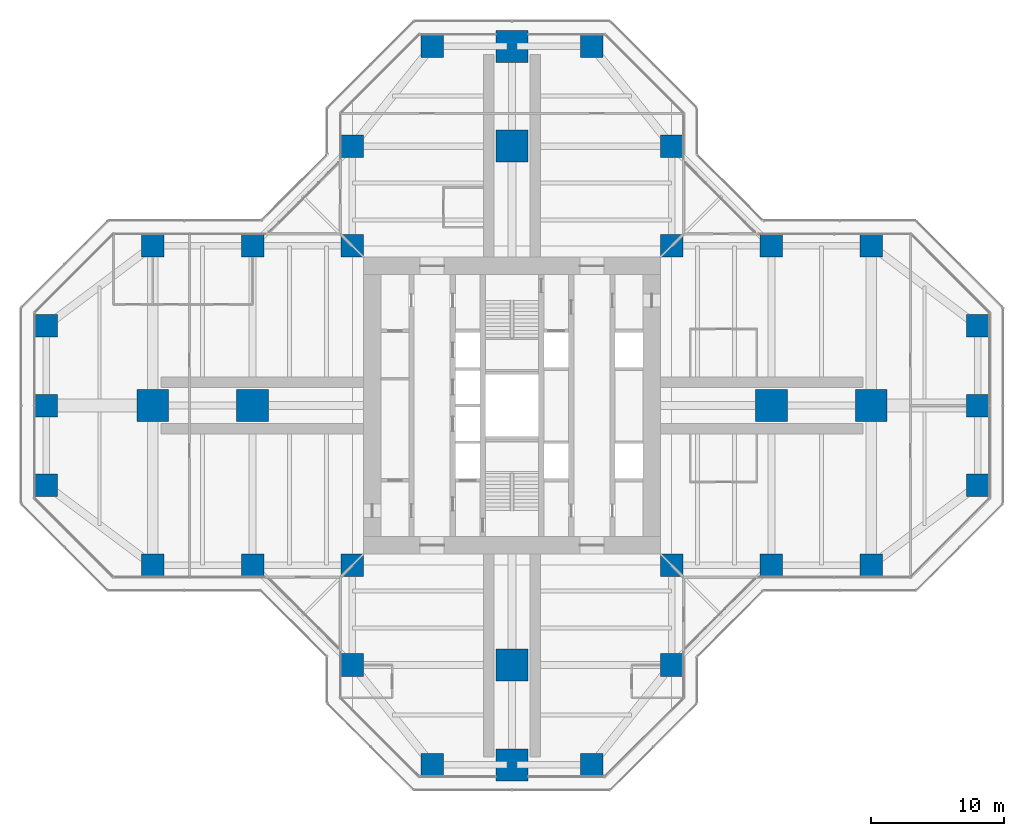
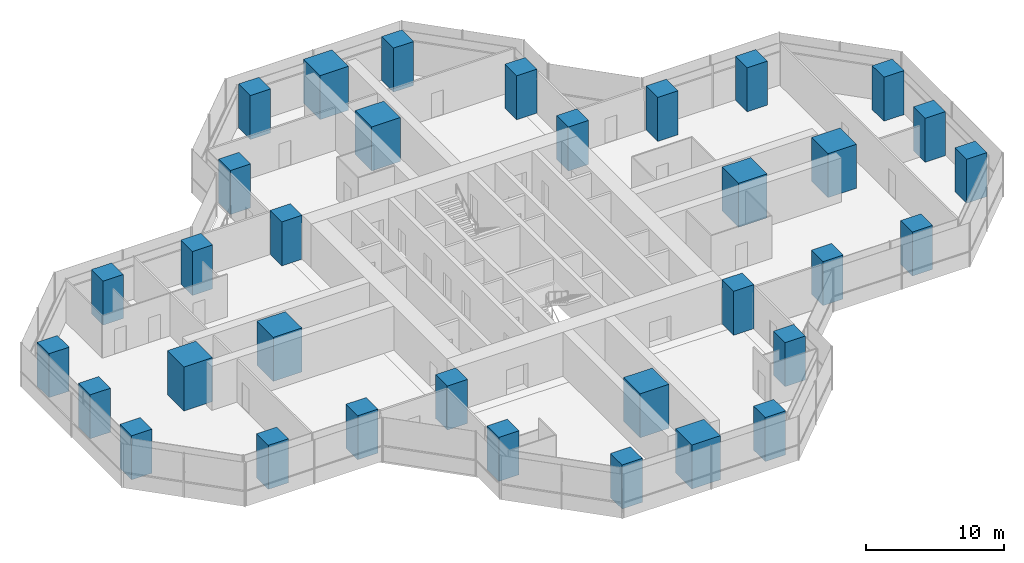
# One storey, part 1 of 19: 34 columns.
"""IFC4 building model written with IfcOpenShell, lengths in metres."""

from ifc_helpers import new_model, si_unit, direction, frame, origin, origin_2d, place, context, subcontext, project, spatial, rectangle, extrude, material, material_profile, profile_set, type_object, element, save


model = new_model("IFC4")

# Units and contexts
model_context = context("Model", 3, precision=1e-05, world=origin(), true_north=direction((0.0, 1.0)))
body_context = subcontext(model_context, "Body", "Model", "MODEL_VIEW")
ifc_project = project(units=[si_unit("LENGTHUNIT", "METRE"), si_unit("AREAUNIT", "SQUARE_METRE"), si_unit("VOLUMEUNIT", "CUBIC_METRE"), si_unit("PLANEANGLEUNIT", "RADIAN"), si_unit("MASSUNIT", "GRAM", prefix="KILO")], contexts=[model_context])

# Site, building, storey
site_placement = place(None, origin())
site = spatial("IfcSite", under=ifc_project, at=site_placement, CompositionType="ELEMENT")
building_placement = place(site_placement, origin())
building = spatial("IfcBuilding", under=site, at=building_placement, Name="Mizan Broadcast Tower", CompositionType="ELEMENT")
storey_placement = place(building_placement, frame((0.0, 0.0, 159.300048828125)))
storey = spatial("IfcBuildingStorey", under=building, at=storey_placement, Name="L36", CompositionType="ELEMENT", Elevation=159.300048828125)

# Columns
ifc_material_1 = material(Name="Concrete C70/85", Category="concrete")
ifc_material_profile_1 = material_profile(ifc_material_1, rectangle(XDim=1.699951171875, YDim=1.699951171875, at=origin_2d()), Name="RC 1700x1700")
ifc_profile_set_1 = profile_set([ifc_material_profile_1], Name="Concrete C70/85")
column_type_1 = type_object("IfcColumnType", Name="RC COLUMN 1700x1700 C70/85", PredefinedType="COLUMN", material=ifc_profile_set_1)
for number, where, z_axis, x_axis, name in (
    (1, (-6.0, -27.0, 0.0), (0.0, 0.0, 1.0), (1.0, 0.0, 0.0), "Column 5/B L36"),
    (2, (6.0, -27.0, 0.0), (0.0, 0.0, 1.0), (1.0, 0.0, 0.0), "Column 7/B L36"),
    (3, (-12.0, -19.5, 0.0), (0.0, 0.0, 1.0), (1.0, 0.0, 0.0), "Column 4/C L36"),
    (4, (12.0, -19.5, 0.0), (0.0, 0.0, 1.0), (1.0, 0.0, 0.0), "Column 8/C L36"),
    (5, (-27.0, -12.0, 0.0), (0.0, 0.0, 1.0), (1.0, 0.0, 0.0), "Column 2/D L36"),
    (6, (-19.5, -12.0, 0.0), (0.0, 0.0, 1.0), (1.0, 0.0, 0.0), "Column 3/D L36"),
    (7, (-12.0, -12.0, 0.0), (0.0, 0.0, 1.0), (1.0, 0.0, 0.0), "Column 4/D L36"),
    (8, (12.0, -12.0, 0.0), (0.0, 0.0, 1.0), (1.0, 0.0, 0.0), "Column 8/D L36"),
    (9, (19.5, -12.0, 0.0), (0.0, 0.0, 1.0), (1.0, 0.0, 0.0), "Column 9/D L36"),
    (10, (27.0, -12.0, 0.0), (0.0, 0.0, 1.0), (1.0, 0.0, 0.0), "Column 10/D L36"),
    (11, (-35.0, -6.0, 0.0), (0.0, 0.0, 1.0), (1.0, 0.0, 0.0), "Column 1/E L36"),
    (12, (35.0, -6.0, 0.0), (0.0, 0.0, 1.0), (1.0, 0.0, 0.0), "Column 11/E L36"),
    (13, (-35.0, 0.0, 0.0), (0.0, 0.0, 1.0), (1.0, 0.0, 0.0), "Column 1/F L36"),
    (14, (35.0, 0.0, 0.0), (0.0, 0.0, 1.0), (1.0, 0.0, 0.0), "Column 11/F L36"),
    (15, (-35.0, 6.0, 0.0), (0.0, 0.0, 1.0), (1.0, 0.0, 0.0), "Column 1/G L36"),
    (16, (35.0, 6.0, 0.0), (0.0, 0.0, 1.0), (1.0, 0.0, 0.0), "Column 11/G L36"),
    (17, (-27.0, 12.0, 0.0), (0.0, 0.0, 1.0), (1.0, 0.0, 0.0), "Column 2/H L36"),
    (18, (-19.5, 12.0, 0.0), (0.0, 0.0, 1.0), (1.0, 0.0, 0.0), "Column 3/H L36"),
    (19, (-12.0, 12.0, 0.0), (0.0, 0.0, 1.0), (1.0, 0.0, 0.0), "Column 4/H L36"),
    (20, (12.0, 12.0, 0.0), (0.0, 0.0, 1.0), (1.0, 0.0, 0.0), "Column 8/H L36"),
    (21, (19.5, 12.0, 0.0), (0.0, 0.0, 1.0), (1.0, 0.0, 0.0), "Column 9/H L36"),
    (22, (27.0, 12.0, 0.0), (0.0, 0.0, 1.0), (1.0, 0.0, 0.0), "Column 10/H L36"),
    (23, (-12.0, 19.5, 0.0), (0.0, 0.0, 1.0), (1.0, 0.0, 0.0), "Column 4/J L36"),
    (24, (12.0, 19.5, 0.0), (0.0, 0.0, 1.0), (1.0, 0.0, 0.0), "Column 8/J L36"),
    (25, (-6.0, 27.0, 0.0), (0.0, 0.0, 1.0), (1.0, 0.0, 0.0), "Column 5/K L36"),
    (26, (6.0, 27.0, 0.0), (0.0, 0.0, 1.0), (1.0, 0.0, 0.0), "Column 7/K L36"),
):
    element("IfcColumn", number, at=place(storey_placement, frame(where, z_axis=z_axis, x_axis=x_axis)), inside=storey, type_object=column_type_1, Name=name, PredefinedType="COLUMN", context=body_context, shape_type="SweptSolid", body=[
        extrude(rectangle(XDim=1.699951171875, YDim=1.699951171875, at=origin_2d()), origin(), (0.0, 0.0, 1.0), 3.89990234375),
    ])
ifc_material_2 = material(Name="Concrete C70/85", Category="concrete")
ifc_material_profile_2 = material_profile(ifc_material_2, rectangle(XDim=2.39990234375, YDim=2.39990234375, at=origin_2d()), Name="RC 2400x2400")
ifc_profile_set_2 = profile_set([ifc_material_profile_2], Name="Concrete C70/85")
column_type_2 = type_object("IfcColumnType", Name="RC COLUMN 2400x2400 C70/85", PredefinedType="COLUMN", material=ifc_profile_set_2)
for number, where, z_axis, x_axis, name in (
    (27, (0.0, -27.0, 0.0), (0.0, 0.0, 1.0), (1.0, 0.0, 0.0), "Column 6/B L36"),
    (28, (0.0, -19.5, 0.0), (0.0, 0.0, 1.0), (1.0, 0.0, 0.0), "Column 6/C L36"),
    (29, (-27.0, 0.0, 0.0), (0.0, 0.0, 1.0), (1.0, 0.0, 0.0), "Column 2/F L36"),
    (30, (-19.5, 0.0, 0.0), (0.0, 0.0, 1.0), (1.0, 0.0, 0.0), "Column 3/F L36"),
    (31, (19.5, 0.0, 0.0), (0.0, 0.0, 1.0), (1.0, 0.0, 0.0), "Column 9/F L36"),
    (32, (27.0, 0.0, 0.0), (0.0, 0.0, 1.0), (1.0, 0.0, 0.0), "Column 10/F L36"),
    (33, (0.0, 19.5, 0.0), (0.0, 0.0, 1.0), (1.0, 0.0, 0.0), "Column 6/J L36"),
    (34, (0.0, 27.0, 0.0), (0.0, 0.0, 1.0), (1.0, 0.0, 0.0), "Column 6/K L36"),
):
    element("IfcColumn", number, at=place(storey_placement, frame(where, z_axis=z_axis, x_axis=x_axis)), inside=storey, type_object=column_type_2, Name=name, PredefinedType="COLUMN", context=body_context, shape_type="SweptSolid", body=[
        extrude(rectangle(XDim=2.39990234375, YDim=2.39990234375, at=origin_2d()), origin(), (0.0, 0.0, 1.0), 3.89990234375),
    ])

save(model, "model.ifc")
